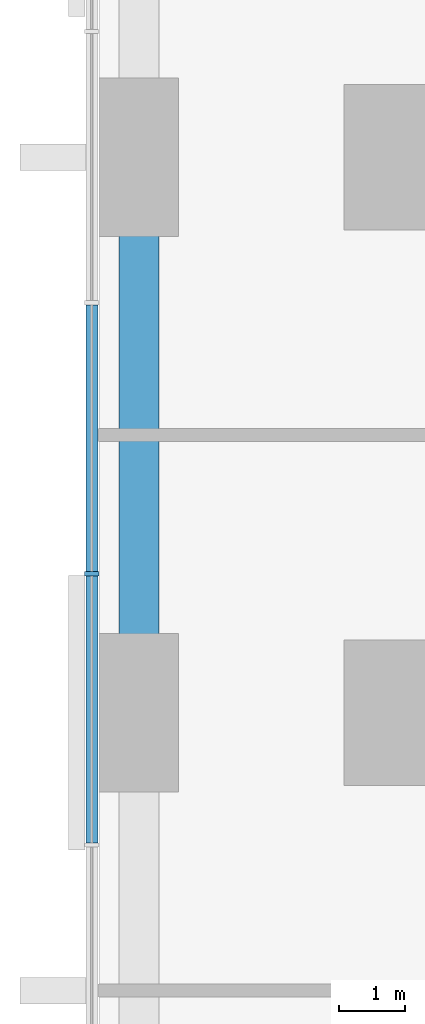
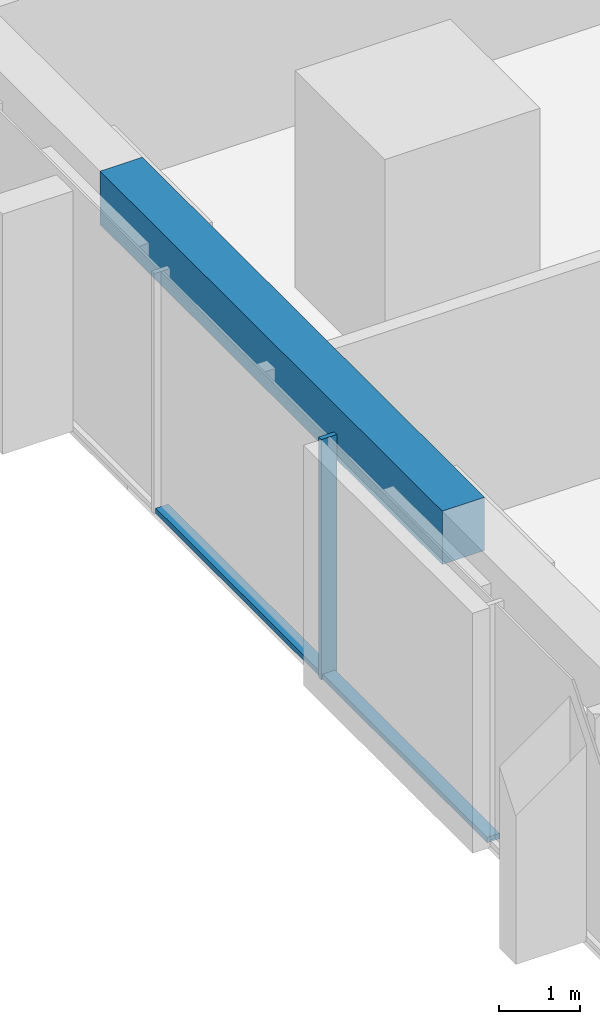
# One storey, part 3 of 13: 3 members, 1 beam, 1 element without a shape of its own.
"""IFC4 building model written with IfcOpenShell, lengths in metres."""

from ifc_helpers import new_model, si_unit, direction, frame, origin, origin_2d, place, context, subcontext, project, spatial, rectangle, extrude, material, material_profile, profile_set, type_object, element, aggregate, save


model = new_model("IFC4")

# Units and contexts
model_context = context("Model", 3, precision=1e-05, world=origin(), true_north=direction((0.0, 1.0)))
body_context = subcontext(model_context, "Body", "Model", "MODEL_VIEW")
ifc_project = project(units=[si_unit("LENGTHUNIT", "METRE"), si_unit("AREAUNIT", "SQUARE_METRE"), si_unit("VOLUMEUNIT", "CUBIC_METRE"), si_unit("PLANEANGLEUNIT", "RADIAN"), si_unit("MASSUNIT", "GRAM", prefix="KILO")], contexts=[model_context])

# Site, building, storey
site_placement = place(None, origin())
site = spatial("IfcSite", under=ifc_project, at=site_placement, CompositionType="ELEMENT")
building_placement = place(site_placement, origin())
building = spatial("IfcBuilding", under=site, at=building_placement, Name="Dunama Terrace Hotel", CompositionType="ELEMENT")
storey_placement = place(building_placement, frame((0.0, 0.0, 144.0)))
storey = spatial("IfcBuildingStorey", under=building, at=storey_placement, Name="L37", CompositionType="ELEMENT", Elevation=144.0)

# Curtain wall, members
ifc_material_1 = material(Name="Aluminium curtain wall system", Category="aluminium")
curtain_wall_type = type_object("IfcCurtainWallType", Name="Unitised fritted glass wall CW-B", PredefinedType="NOTDEFINED", material=ifc_material_1)
curtain_wall_placement = place(storey_placement, origin())
curtain_wall = element("IfcCurtainWall", 1, at=curtain_wall_placement, inside=storey, type_object=curtain_wall_type, Name="Unitised fritted glass wall CW-B L37", PredefinedType="NOTDEFINED")
ifc_material_2 = material(Name="Aluminium mullion", Category="aluminium")
ifc_material_profile_1 = material_profile(ifc_material_2, rectangle(XDim=0.06494140625, YDim=0.219970703125, at=origin_2d()), Name="CWB MULLION 65X220")
ifc_profile_set_1 = profile_set([ifc_material_profile_1], Name="Aluminium mullion")
member_type_1 = type_object("IfcMemberType", Name="CWB mullion 65x220", PredefinedType="MULLION", material=ifc_profile_set_1)
member_1_placement = place(storey_placement, frame((-0.110107421875, 27.300048828125, 0.0), z_axis=(0.0, 0.0, 1.0), x_axis=(0.0, -1.0, 0.0)))
member_1 = element("IfcMember", 2, at=member_1_placement, type_object=member_type_1, Name="CWB mullion", PredefinedType="MULLION", context=body_context, shape_type="SweptSolid", body=[
    extrude(rectangle(XDim=0.06494140625, YDim=0.219970703125, at=origin_2d()), origin(), (0.0, 0.0, 1.0), 3.60009765625),
])
ifc_material_3 = material(Name="Aluminium transom", Category="aluminium")
ifc_material_profile_2 = material_profile(ifc_material_3, rectangle(XDim=0.179931640625, YDim=0.080078125, at=origin_2d()), Name="CWB TRANSOM 180X80")
ifc_profile_set_2 = profile_set([ifc_material_profile_2], Name="Aluminium transom")
member_type_2 = type_object("IfcMemberType", Name="CWB transom 180x80", PredefinedType="USERDEFINED", material=ifc_profile_set_2)
member_2_placement = place(storey_placement, frame((-0.110107421875, 31.366943359375, 0.0400390625), z_axis=(0.0, -1.0, 0.0), x_axis=(1.0, 0.0, 0.0)))
member_2 = element("IfcMember", 3, at=member_2_placement, type_object=member_type_2, Name="CWB transom", ObjectType="TRANSOM", PredefinedType="USERDEFINED", context=body_context, shape_type="SweptSolid", body=[
    extrude(rectangle(XDim=0.179931640625, YDim=0.080078125, at=origin_2d()), origin(), (0.0, 0.0, 1.0), 4.034912109375),
])
member_3_placement = place(storey_placement, frame((-0.110107421875, 27.26806640625, 0.0400390625), z_axis=(0.0, -1.0, 0.0), x_axis=(1.0, 0.0, 0.0)))
member_3 = element("IfcMember", 4, at=member_3_placement, type_object=member_type_2, Name="CWB transom", ObjectType="TRANSOM", PredefinedType="USERDEFINED", context=body_context, shape_type="SweptSolid", body=[
    extrude(rectangle(XDim=0.179931640625, YDim=0.080078125, at=origin_2d()), origin(), (0.0, 0.0, 1.0), 4.03515625),
])
aggregate(curtain_wall, [member_1, member_2, member_3])

# Beam
ifc_material_4 = material(Name="Concrete C40/50", Category="concrete")
ifc_material_profile_3 = material_profile(ifc_material_4, rectangle(XDim=0.60009765625, YDim=0.800048828125, at=origin_2d()), Name="RC 600x800")
ifc_profile_set_3 = profile_set([ifc_material_profile_3], Name="Concrete C40/50")
beam_type = type_object("IfcBeamType", Name="Edge beam RC 600x800", PredefinedType="SPANDREL", material=ifc_profile_set_3)
beam_placement = place(storey_placement, frame((0.60009765625, 25.199951171875, 3.199951171875), z_axis=(0.0, 1.0, 0.0), x_axis=(-1.0, 0.0, 0.0)))
element("IfcBeam", 5, at=beam_placement, inside=storey, type_object=beam_type, Name="Edge beam under L38", PredefinedType="SPANDREL", context=body_context, shape_type="SweptSolid", body=[
    extrude(rectangle(XDim=0.60009765625, YDim=0.800048828125, at=origin_2d()), origin(), (0.0, 0.0, 1.0), 8.400146484375),
])

save(model, "model.ifc")
